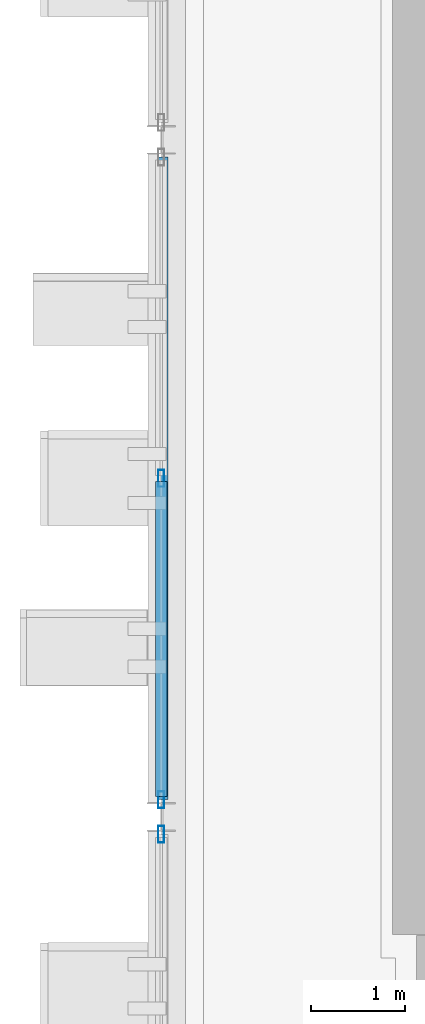
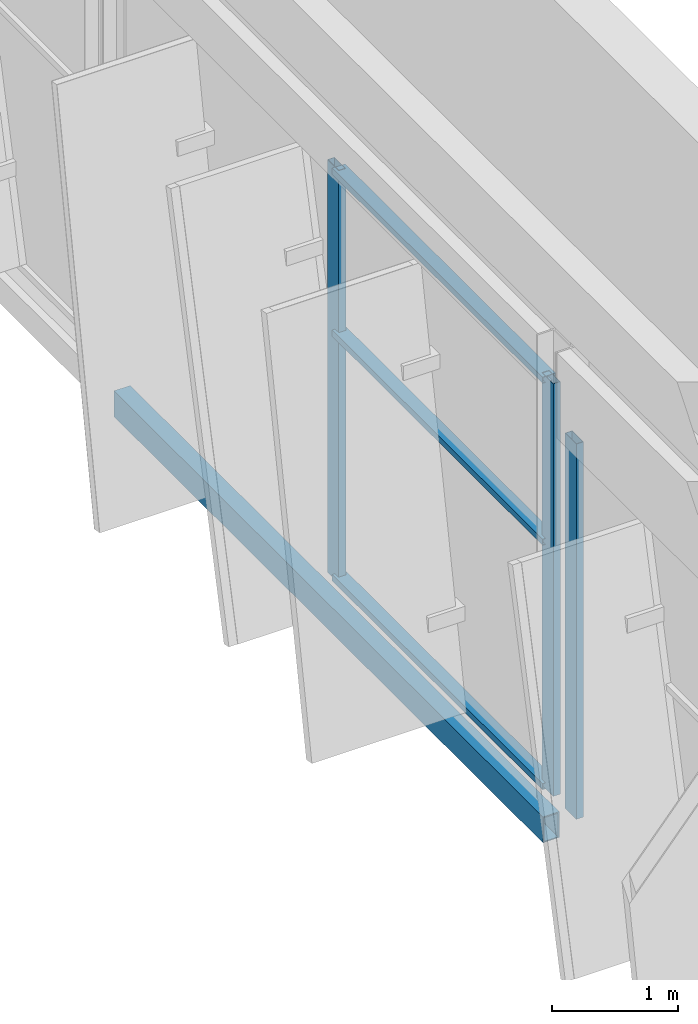
# One storey, part 24 of 52: 6 members, 1 beam, 2 elements without a shape of their own.
"""IFC4 building model written with IfcOpenShell, lengths in metres."""

from ifc_helpers import new_model, si_unit, direction, frame, origin, origin_2d, place, context, subcontext, project, spatial, hollow_rectangle, extrude, material, layer, layer_set, material_profile, profile_set, type_object, element, aggregate, save


model = new_model("IFC4")

# Units and contexts
model_context = context("Model", 3, precision=1e-05, world=origin(), true_north=direction((0.0, 1.0)))
body_context = subcontext(model_context, "Body", "Model", "MODEL_VIEW")
ifc_project = project(units=[si_unit("LENGTHUNIT", "METRE"), si_unit("AREAUNIT", "SQUARE_METRE"), si_unit("VOLUMEUNIT", "CUBIC_METRE"), si_unit("PLANEANGLEUNIT", "RADIAN"), si_unit("MASSUNIT", "GRAM", prefix="KILO")], contexts=[model_context])

# Site, building, storey
site_placement = place(None, origin())
site = spatial("IfcSite", under=ifc_project, at=site_placement, CompositionType="ELEMENT")
building_placement = place(site_placement, origin())
building = spatial("IfcBuilding", under=site, at=building_placement, Name="Celestram Park Convention Centre", CompositionType="ELEMENT")
storey_placement = place(building_placement, frame((0.0, 0.0, 24.300048828125)))
storey = spatial("IfcBuildingStorey", under=building, at=storey_placement, Name="L05", CompositionType="ELEMENT", Elevation=24.300048828125)

# Curtain wall, member
ifc_material_1 = material(Name="Anodised Aluminium Alloy 6063-T6", Category="aluminium")
ifc_layer_1 = layer(ifc_material_1, 0.179931640625)
ifc_layer_set_1 = layer_set([ifc_layer_1], Name="Anodised Aluminium Alloy 6063-T6")
curtain_wall_type_1 = type_object("IfcCurtainWallType", Name="ARC-CW-690X365", PredefinedType="NOTDEFINED", material=ifc_layer_set_1)
curtain_wall_1_placement = place(storey_placement, origin())
curtain_wall_1 = element("IfcCurtainWall", 1, at=curtain_wall_1_placement, inside=storey, type_object=curtain_wall_type_1, Name="Unitised curtain wall CU-L05-248", PredefinedType="NOTDEFINED")
ifc_material_profile_1 = material_profile(ifc_material_1, hollow_rectangle(XDim=0.06494140625, YDim=0.179931640625, WallThickness=0.00390625, at=origin_2d()), Name="ALU65X180X4")
ifc_profile_set_1 = profile_set([ifc_material_profile_1], Name="Anodised Aluminium Alloy 6063-T6")
member_type_1 = type_object("IfcMemberType", Name="ARC-CWM-150", PredefinedType="MULLION", material=ifc_profile_set_1)
member_1_placement = place(storey_placement, frame((36.0, 151.01611328125, 0.0), z_axis=(0.0, 0.0, 1.0), x_axis=(-1.0, 0.0, 0.0)))
member_1 = element("IfcMember", 2, at=member_1_placement, type_object=member_type_1, Name="CW-69X36 mullion 3", PredefinedType="MULLION", context=body_context, shape_type="SweptSolid", body=[
    extrude(hollow_rectangle(XDim=0.06494140625, YDim=0.179931640625, WallThickness=0.00390625, at=origin_2d()), origin(), (0.0, 0.0, 1.0), 3.64794921875),
])
aggregate(curtain_wall_1, [member_1])

# Curtain wall, members
ifc_layer_2 = layer(ifc_material_1, 0.179931640625)
ifc_layer_set_2 = layer_set([ifc_layer_2], Name="Anodised Aluminium Alloy 6063-T6")
curtain_wall_type_2 = type_object("IfcCurtainWallType", Name="ARC-CW-690X401", PredefinedType="NOTDEFINED", material=ifc_layer_set_2)
curtain_wall_2_placement = place(storey_placement, origin())
curtain_wall_2 = element("IfcCurtainWall", 3, at=curtain_wall_2_placement, inside=storey, type_object=curtain_wall_type_2, Name="Unitised curtain wall CU-L05-249", PredefinedType="NOTDEFINED")
member_2_placement = place(storey_placement, frame((36.0, 151.384033203125, 0.0), z_axis=(0.0, 0.0, 1.0), x_axis=(-1.0, 0.0, 0.0)))
member_2 = element("IfcMember", 4, at=member_2_placement, type_object=member_type_1, Name="CW-69X40 mullion 1", PredefinedType="MULLION", context=body_context, shape_type="SweptSolid", body=[
    extrude(hollow_rectangle(XDim=0.06494140625, YDim=0.179931640625, WallThickness=0.00390625, at=origin_2d()), origin(), (0.0, 0.0, 1.0), 4.010009765625),
])
member_3_placement = place(storey_placement, frame((36.0, 154.800048828125, 0.0), z_axis=(0.0, 0.0, 1.0), x_axis=(-1.0, 0.0, 0.0)))
member_3 = element("IfcMember", 5, at=member_3_placement, type_object=member_type_1, Name="CW-69X40 mullion 2", PredefinedType="MULLION", context=body_context, shape_type="SweptSolid", body=[
    extrude(hollow_rectangle(XDim=0.06494140625, YDim=0.179931640625, WallThickness=0.00390625, at=origin_2d()), origin(), (0.0, 0.0, 1.0), 4.010009765625),
])
ifc_material_profile_2 = material_profile(ifc_material_1, hollow_rectangle(XDim=0.1201171875, YDim=0.06005859375, WallThickness=0.0029296875, at=origin_2d()), Name="ALU120X60X3")
ifc_profile_set_2 = profile_set([ifc_material_profile_2], Name="Anodised Aluminium Alloy 6063-T6")
member_type_2 = type_object("IfcMemberType", Name="ARC-CWT-120", PredefinedType="USERDEFINED", material=ifc_profile_set_2)
member_4_placement = place(storey_placement, frame((36.0, 151.41650390625, 0.030029296875), z_axis=(0.0, 1.0, 0.0), x_axis=(-1.0, 0.0, 0.0)))
member_4 = element("IfcMember", 6, at=member_4_placement, type_object=member_type_2, Name="CW-69X40 transom 1.1", ObjectType="TRANSOM", PredefinedType="USERDEFINED", context=body_context, shape_type="SweptSolid", body=[
    extrude(hollow_rectangle(XDim=0.1201171875, YDim=0.06005859375, WallThickness=0.0029296875, at=origin_2d()), origin(), (0.0, 0.0, 1.0), 3.35107421875),
])
member_5_placement = place(storey_placement, frame((36.0, 151.41650390625, 2.406005859375), z_axis=(0.0, 1.0, 0.0), x_axis=(-1.0, 0.0, 0.0)))
member_5 = element("IfcMember", 7, at=member_5_placement, type_object=member_type_2, Name="CW-69X40 transom 1.2", ObjectType="TRANSOM", PredefinedType="USERDEFINED", context=body_context, shape_type="SweptSolid", body=[
    extrude(hollow_rectangle(XDim=0.1201171875, YDim=0.06005859375, WallThickness=0.0029296875, at=origin_2d()), origin(), (0.0, 0.0, 1.0), 3.35107421875),
])
member_6_placement = place(storey_placement, frame((36.0, 151.41650390625, 3.97998046875), z_axis=(0.0, 1.0, 0.0), x_axis=(-1.0, 0.0, 0.0)))
member_6 = element("IfcMember", 8, at=member_6_placement, type_object=member_type_2, Name="CW-69X40 transom 1.3", ObjectType="TRANSOM", PredefinedType="USERDEFINED", context=body_context, shape_type="SweptSolid", body=[
    extrude(hollow_rectangle(XDim=0.1201171875, YDim=0.06005859375, WallThickness=0.0029296875, at=origin_2d()), origin(), (0.0, 0.0, 1.0), 3.35107421875),
])
aggregate(curtain_wall_2, [member_2, member_3, member_4, member_5, member_6])

# Beam
ifc_material_2 = material(Name="Steel ASTM A500 Grade C", Category="steel")
ifc_material_profile_3 = material_profile(ifc_material_2, hollow_rectangle(XDim=0.14990234375, YDim=0.25, WallThickness=0.010009765625, at=origin_2d()), Name="HSS250X150X10")
ifc_profile_set_3 = profile_set([ifc_material_profile_3], Name="Steel ASTM A500 Grade C")
beam_type = type_object("IfcBeamType", Name="STR-SPN-HSS250X150", PredefinedType="SPANDREL", material=ifc_profile_set_3)
beam_placement = place(storey_placement, frame((36.0, 151.384521484375, -0.364990234375), z_axis=(0.0, 1.0, 0.0), x_axis=(-1.0, 0.0, 0.0)))
element("IfcBeam", 9, at=beam_placement, inside=storey, type_object=beam_type, Name="Primary Y-girder BG-L05-0012", PredefinedType="SPANDREL", context=body_context, shape_type="SweptSolid", body=[
    extrude(hollow_rectangle(XDim=0.14990234375, YDim=0.25, WallThickness=0.010009765625, at=origin_2d()), origin(), (0.0, 0.0, 1.0), 6.8310546875),
])

save(model, "model.ifc")
